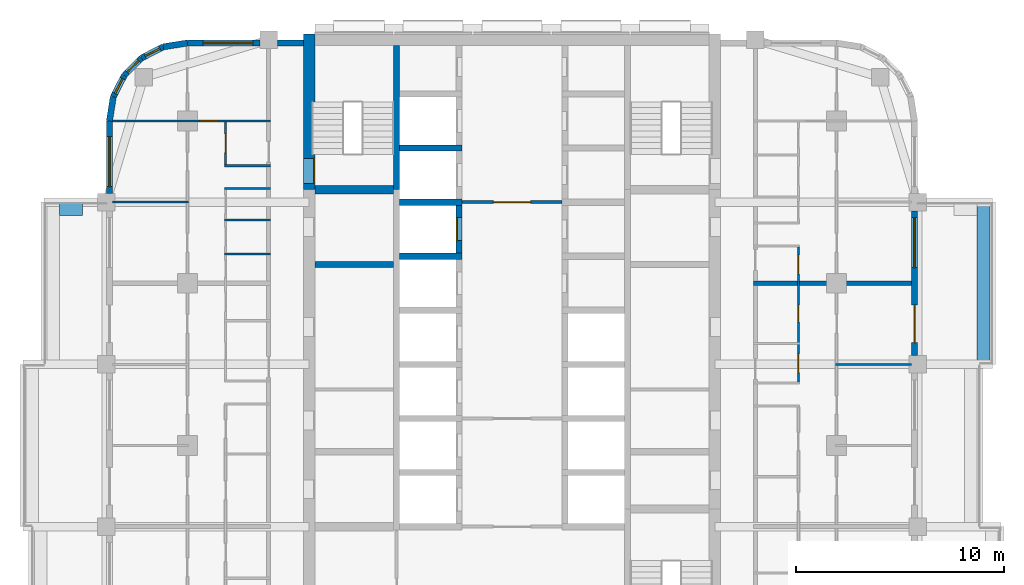
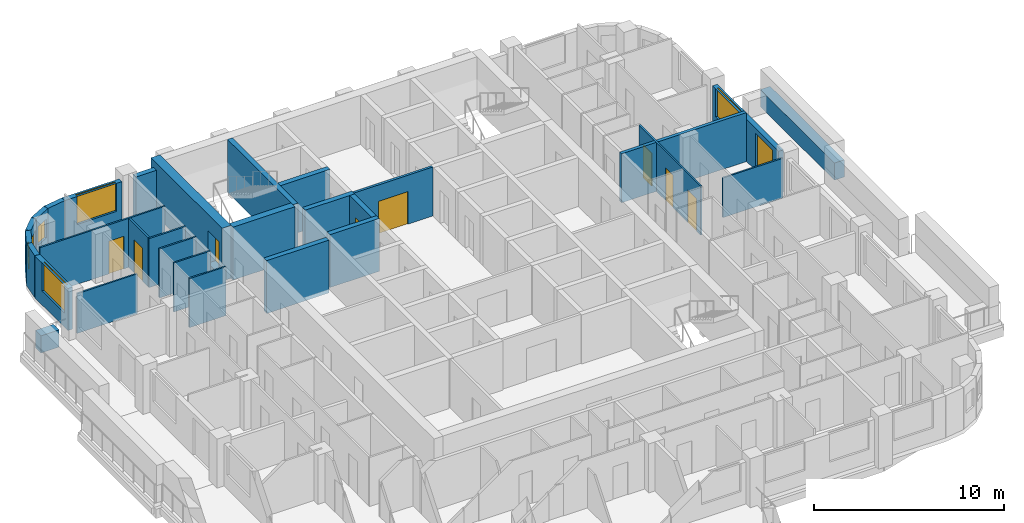
# One storey, part 8 of 14: 30 walls, 9 doors, 6 windows, 15 openings.
"""IFC4 building model written with IfcOpenShell, lengths in metres."""

from ifc_helpers import new_model, si_unit, direction, frame, frame_2d, origin, place, context, subcontext, project, spatial, rectangle, extrude, material, layer, layer_set, type_object, element, fill, save


model = new_model("IFC4")

# Units and contexts
model_context = context("Model", 3, precision=1e-05, world=origin(), true_north=direction((0.0, 1.0)))
body_context = subcontext(model_context, "Body", "Model", "MODEL_VIEW")
ifc_project = project(units=[si_unit("LENGTHUNIT", "METRE"), si_unit("AREAUNIT", "SQUARE_METRE"), si_unit("VOLUMEUNIT", "CUBIC_METRE"), si_unit("PLANEANGLEUNIT", "RADIAN"), si_unit("MASSUNIT", "GRAM", prefix="KILO")], contexts=[model_context])

# Site, building, storey
site_placement = place(None, origin())
site = spatial("IfcSite", under=ifc_project, at=site_placement, CompositionType="ELEMENT")
building_placement = place(site_placement, origin())
building = spatial("IfcBuilding", under=site, at=building_placement, Name="Ludao Terraces", CompositionType="ELEMENT")
storey_placement = place(building_placement, frame((0.0, 0.0, 110.10009765625)))
storey = spatial("IfcBuildingStorey", under=building, at=storey_placement, Name="L30", CompositionType="ELEMENT", Elevation=110.10009765625)

# Wall, opening, door
ifc_material_1 = material(Name="Concrete C60", Category="concrete")
ifc_layer_1 = layer(ifc_material_1, 0.550048828125)
ifc_layer_set_1 = layer_set([ifc_layer_1], Name="Core wall 550 C60")
wall_type_1 = type_object("IfcWallType", Name="Core wall 550 C60", PredefinedType="SOLIDWALL", material=ifc_layer_set_1)
wall_1_placement = place(storey_placement, frame((75.25, 77.300048828125, -0.25), z_axis=(0.0, 0.0, 1.0), x_axis=(0.0, 1.0, 0.0)))
wall_1 = element("IfcWall", 1, at=wall_1_placement, inside=storey, type_object=wall_type_1, Name="Core wall L30 outer-W-S1", PredefinedType="SOLIDWALL", context=body_context, shape_type="SweptSolid", body=[
    extrude(rectangle(XDim=7.474853515625, YDim=0.550048828125, at=frame_2d((3.7373046875, 0.0))), origin(), (0.0, 0.0, 1.0), 3.39990234375),
])
opening_1_placement = place(wall_1_placement, frame((0.300048828125, 0.0, 0.25)))
opening_1 = element("IfcOpeningElement", 2, at=opening_1_placement, cuts=wall_1, Name="Opening R09-087", PredefinedType="OPENING", context=body_context, shape_type="SweptSolid", body=[
    extrude(rectangle(XDim=1.199951171875, YDim=2.10009765625, at=frame_2d((0.60009765625, 1.050048828125))), frame((0.0, 0.28515625, 0.0), z_axis=(0.0, -1.0, 0.0), x_axis=(1.0, 0.0, 0.0)), (0.0, 0.0, 1.0), 0.570068359375),
])
ifc_material_2 = material(Name="Steel Q235", Category="steel")
door_type_1 = type_object("IfcDoorType", Name="INT Stair door 1200", OperationType="DOUBLE_DOOR_SINGLE_SWING", PredefinedType="DOOR", material=ifc_material_2)
door_1_placement = place(opening_1_placement, origin())
door_1 = element("IfcDoor", 3, at=door_1_placement, inside=storey, type_object=door_type_1, Name="DOOR 087", OperationType="DOUBLE_DOOR_SINGLE_SWING", OverallHeight=2.10009765625, OverallWidth=1.199951171875, PredefinedType="DOOR", context=body_context, shape_type="SweptSolid", body=[
    extrude(rectangle(XDim=1.199951171875, YDim=2.10009765625, at=frame_2d((0.60009765625, 1.050048828125))), frame((0.0, -0.2099609375, 0.0), z_axis=(0.0, -1.0, 0.0), x_axis=(1.0, 0.0, 0.0)), (0.0, 0.0, 1.0), 0.050048828125),
])
fill(opening_1, door_1)

# Walls
ifc_material_3 = material(Name="Concrete C40", Category="concrete")
ifc_layer_2 = layer(ifc_material_3, 0.60009765625)
ifc_layer_set_2 = layer_set([ifc_layer_2], Name="ENV Planter trough 600")
wall_type_2 = type_object("IfcWallType", Name="ENV Planter trough 600", PredefinedType="USERDEFINED", material=ifc_layer_set_2)
wall_2_placement = place(storey_placement, frame((107.64990234375, 68.89990234375, 0.0), z_axis=(0.0, 0.0, 1.0), x_axis=(0.0, 1.0, 0.0)))
element("IfcWall", 4, at=wall_2_placement, inside=storey, type_object=wall_type_2, Name="PL-L30-E3", ObjectType="PLANTER", PredefinedType="USERDEFINED", context=body_context, shape_type="SweptSolid", body=[
    extrude(rectangle(XDim=7.800048828125, YDim=0.60009765625, at=frame_2d((3.89990234375, 0.0))), origin(), (0.0, 0.0, 1.0), 1.099853515625),
])
wall_3_placement = place(storey_placement, frame((63.25, 76.35009765625, 0.0), z_axis=(0.0, 0.0, 1.0), x_axis=(1.0, 0.0, 0.0)))
element("IfcWall", 5, at=wall_3_placement, inside=storey, type_object=wall_type_2, Name="PL-L30-W3-SB", ObjectType="PLANTER", PredefinedType="USERDEFINED", context=body_context, shape_type="SweptSolid", body=[
    extrude(rectangle(XDim=1.10009765625, YDim=0.60009765625, at=frame_2d((0.550048828125, 0.0))), origin(), (0.0, 0.0, 1.0), 1.099853515625),
])

# Wall, openings, door, window
ifc_material_4 = material(Name="Granite cladding", Category="masonry")
ifc_layer_3 = layer(ifc_material_4, 0.0400390625, Category="stone")
ifc_material_5 = material(Name="Mineral wool")
ifc_layer_4 = layer(ifc_material_5, 0.06005859375)
ifc_layer_5 = layer(ifc_material_3, 0.199951171875, Category="concrete")
ifc_layer_set_3 = layer_set([ifc_layer_3, ifc_layer_4, ifc_layer_5], Name="ENV Stone-clad wall 300")
wall_type_3 = type_object("IfcWallType", Name="ENV Stone-clad wall 300", PredefinedType="SOLIDWALL", material=ifc_layer_set_3)
wall_4_placement = place(storey_placement, frame((104.35009765625, 69.324951171875, 0.0), z_axis=(0.0, 0.0, 1.0), x_axis=(0.0, 1.0, 0.0)))
wall_4 = element("IfcWall", 6, at=wall_4_placement, inside=storey, type_object=wall_type_3, Name="EW-L30-E4", PredefinedType="SOLIDWALL", context=body_context, shape_type="SweptSolid", body=[
    extrude(rectangle(XDim=6.949951171875, YDim=0.300048828125, at=frame_2d((3.47509765625, 0.0))), origin(), (0.0, 0.0, 1.0), 2.699951171875),
])
opening_2_placement = place(wall_4_placement, frame((0.625, 0.0, 0.0)))
opening_2 = element("IfcOpeningElement", 7, at=opening_2_placement, cuts=wall_4, Name="Opening BD", PredefinedType="OPENING", context=body_context, shape_type="SweptSolid", body=[
    extrude(rectangle(XDim=1.800048828125, YDim=2.39990234375, at=frame_2d((0.89990234375, 1.199951171875))), frame((0.0, 0.16015625, 0.0), z_axis=(0.0, -1.0, 0.0), x_axis=(1.0, 0.0, 0.0)), (0.0, 0.0, 1.0), 0.320068359375),
])
opening_3_placement = place(wall_4_placement, frame((4.22509765625, 0.0, 0.89990234375)))
opening_3 = element("IfcOpeningElement", 8, at=opening_3_placement, cuts=wall_4, Name="Opening W1", PredefinedType="OPENING", context=body_context, shape_type="SweptSolid", body=[
    extrude(rectangle(XDim=2.39990234375, YDim=1.800048828125, at=frame_2d((1.199951171875, 0.89990234375))), frame((0.0, 0.16015625, 0.0), z_axis=(0.0, -1.0, 0.0), x_axis=(1.0, 0.0, 0.0)), (0.0, 0.0, 1.0), 0.320068359375),
])
ifc_material_6 = material(Name="Aluminium glazed door", Category="aluminium")
ifc_layer_6 = layer(ifc_material_6, 0.06005859375)
ifc_layer_set_4 = layer_set([ifc_layer_6], Name="ENV Balcony door BD 1800x2400")
door_type_2 = type_object("IfcDoorType", Name="ENV Balcony door BD 1800x2400", OperationType="DOUBLE_DOOR_SINGLE_SWING", PredefinedType="DOOR", material=ifc_layer_set_4)
door_2_placement = place(opening_2_placement, origin())
door_2 = element("IfcDoor", 9, at=door_2_placement, inside=storey, type_object=door_type_2, Name="BD-L30-E4-1", OperationType="DOUBLE_DOOR_SINGLE_SWING", OverallHeight=2.39990234375, OverallWidth=1.800048828125, PredefinedType="DOOR", context=body_context, shape_type="SweptSolid", body=[
    extrude(rectangle(XDim=1.800048828125, YDim=2.39990234375, at=frame_2d((0.89990234375, 1.199951171875))), frame((0.0, 0.02490234375, 0.0), z_axis=(0.0, -1.0, 0.0), x_axis=(1.0, 0.0, 0.0)), (0.0, 0.0, 1.0), 0.050048828125),
])
fill(opening_2, door_2)
ifc_material_7 = material(Name="Clear glass in aluminium frame", Category="aluminium")
ifc_layer_7 = layer(ifc_material_7, 0.06005859375)
ifc_layer_set_5 = layer_set([ifc_layer_7], Name="ENV Window W1 2400x1800")
window_type_1 = type_object("IfcWindowType", Name="ENV Window W1 2400x1800", PartitioningType="DOUBLE_PANEL_VERTICAL", PredefinedType="WINDOW", material=ifc_layer_set_5)
window_1_placement = place(opening_3_placement, origin())
window_1 = element("IfcWindow", 10, at=window_1_placement, inside=storey, type_object=window_type_1, Name="W-L30-E4-2", OverallHeight=1.800048828125, OverallWidth=2.39990234375, PartitioningType="DOUBLE_PANEL_VERTICAL", PredefinedType="WINDOW", context=body_context, shape_type="SweptSolid", body=[
    extrude(rectangle(XDim=2.39990234375, YDim=1.800048828125, at=frame_2d((1.199951171875, 0.89990234375))), frame((0.0, 0.030029296875, 0.0), z_axis=(0.0, -1.0, 0.0), x_axis=(1.0, 0.0, 0.0)), (0.0, 0.0, 1.0), 0.06005859375),
])
fill(opening_3, window_1)

# Wall, opening, window
wall_5_placement = place(storey_placement, frame((69.39990234375, 84.35009765625, 0.0), z_axis=(0.0, 0.0, 1.0), x_axis=(1.0, 0.0, 0.0)))
wall_5 = element("IfcWall", 11, at=wall_5_placement, inside=storey, type_object=wall_type_3, Name="EW-L30-N1", PredefinedType="SOLIDWALL", context=body_context, shape_type="SweptSolid", body=[
    extrude(rectangle(XDim=3.47509765625, YDim=0.300048828125, at=frame_2d((1.737548828125, 0.0))), origin(), (0.0, 0.0, 1.0), 2.699951171875),
])
opening_4_placement = place(wall_5_placement, frame((0.75, 0.0, 0.89990234375)))
opening_4 = element("IfcOpeningElement", 12, at=opening_4_placement, cuts=wall_5, Name="Opening W1", PredefinedType="OPENING", context=body_context, shape_type="SweptSolid", body=[
    extrude(rectangle(XDim=2.39990234375, YDim=1.800048828125, at=frame_2d((1.199951171875, 0.89990234375))), frame((0.0, 0.16015625, 0.0), z_axis=(0.0, -1.0, 0.0), x_axis=(1.0, 0.0, 0.0)), (0.0, 0.0, 1.0), 0.320068359375),
])
window_2_placement = place(opening_4_placement, origin())
window_2 = element("IfcWindow", 13, at=window_2_placement, inside=storey, type_object=window_type_1, Name="W-L30-N1-1", OverallHeight=1.800048828125, OverallWidth=2.39990234375, PartitioningType="DOUBLE_PANEL_VERTICAL", PredefinedType="WINDOW", context=body_context, shape_type="SweptSolid", body=[
    extrude(rectangle(XDim=2.39990234375, YDim=1.800048828125, at=frame_2d((1.199951171875, 0.89990234375))), frame((0.0, 0.030029296875, 0.0), z_axis=(0.0, -1.0, 0.0), x_axis=(1.0, 0.0, 0.0)), (0.0, 0.0, 1.0), 0.06005859375),
])
fill(opening_4, window_2)

# Wall
wall_6_placement = place(storey_placement, frame((73.72509765625, 84.35009765625, 0.0), z_axis=(0.0, 0.0, 1.0), x_axis=(1.0, 0.0, 0.0)))
element("IfcWall", 14, at=wall_6_placement, inside=storey, type_object=wall_type_3, Name="EW-L30-N2", PredefinedType="SOLIDWALL", context=body_context, shape_type="SweptSolid", body=[
    extrude(rectangle(XDim=1.25, YDim=0.300048828125, at=frame_2d((0.625, 0.0))), origin(), (0.0, 0.0, 1.0), 2.699951171875),
])

# Wall, opening, window
wall_7_placement = place(storey_placement, frame((65.64990234375, 77.125, 0.0), z_axis=(0.0, 0.0, 1.0), x_axis=(0.0, 1.0, 0.0)))
wall_7 = element("IfcWall", 15, at=wall_7_placement, inside=storey, type_object=wall_type_3, Name="EW-L30-W5", PredefinedType="SOLIDWALL", context=body_context, shape_type="SweptSolid", body=[
    extrude(rectangle(XDim=3.47509765625, YDim=0.300048828125, at=frame_2d((1.737548828125, 0.0))), origin(), (0.0, 0.0, 1.0), 2.699951171875),
])
opening_5_placement = place(wall_7_placement, frame((0.324951171875, 0.0, 0.89990234375)))
opening_5 = element("IfcOpeningElement", 16, at=opening_5_placement, cuts=wall_7, Name="Opening W1", PredefinedType="OPENING", context=body_context, shape_type="SweptSolid", body=[
    extrude(rectangle(XDim=2.39990234375, YDim=1.800048828125, at=frame_2d((1.199951171875, 0.89990234375))), frame((0.0, 0.16015625, 0.0), z_axis=(0.0, -1.0, 0.0), x_axis=(1.0, 0.0, 0.0)), (0.0, 0.0, 1.0), 0.320068359375),
])
window_3_placement = place(opening_5_placement, origin())
window_3 = element("IfcWindow", 17, at=window_3_placement, inside=storey, type_object=window_type_1, Name="W-L30-W5-1", OverallHeight=1.800048828125, OverallWidth=2.39990234375, PartitioningType="DOUBLE_PANEL_VERTICAL", PredefinedType="WINDOW", context=body_context, shape_type="SweptSolid", body=[
    extrude(rectangle(XDim=2.39990234375, YDim=1.800048828125, at=frame_2d((1.199951171875, 0.89990234375))), frame((0.0, 0.030029296875, 0.0), z_axis=(0.0, -1.0, 0.0), x_axis=(1.0, 0.0, 0.0)), (0.0, 0.0, 1.0), 0.06005859375),
])
fill(opening_5, window_3)

# Wall
wall_8_placement = place(storey_placement, frame((69.39990234375, 84.35009765625, 0.0), z_axis=(0.0, 0.0, 1.0), x_axis=(-0.987678452879, -0.156496880861, 0.0)))
element("IfcWall", 18, at=wall_8_placement, inside=storey, type_object=wall_type_3, Name="EW-L30-NW1", PredefinedType="SOLIDWALL", context=body_context, shape_type="SweptSolid", body=[
    extrude(rectangle(XDim=1.173095703125, YDim=0.300048828125, at=frame_2d((0.58642578125, 0.0))), origin(), (0.0, 0.0, 1.0), 2.699951171875),
])

# Wall, opening, window
wall_9_placement = place(storey_placement, frame((68.2412109375, 84.16650390625, 0.0), z_axis=(0.0, 0.0, 1.0), x_axis=(-0.890988677504, -0.454025524128, 0.0)))
wall_9 = element("IfcWall", 19, at=wall_9_placement, inside=storey, type_object=wall_type_3, Name="EW-L30-NW2", PredefinedType="SOLIDWALL", context=body_context, shape_type="SweptSolid", body=[
    extrude(rectangle(XDim=1.17333984375, YDim=0.300048828125, at=frame_2d((0.586669921875, 0.0))), origin(), (0.0, 0.0, 1.0), 2.699951171875),
])
opening_6_placement = place(wall_9_placement, frame((0.1865234375, 0.0, 0.89990234375)))
opening_6 = element("IfcOpeningElement", 20, at=opening_6_placement, cuts=wall_9, Name="Opening W3", PredefinedType="OPENING", context=body_context, shape_type="SweptSolid", body=[
    extrude(rectangle(XDim=0.800048828125, YDim=1.199951171875, at=frame_2d((0.39990234375, 0.60009765625))), frame((0.0, 0.16015625, 0.0), z_axis=(0.0, -1.0, 0.0), x_axis=(1.0, 0.0, 0.0)), (0.0, 0.0, 1.0), 0.320068359375),
])
ifc_layer_8 = layer(ifc_material_7, 0.06005859375)
ifc_layer_set_6 = layer_set([ifc_layer_8], Name="ENV Window W3 800x1200")
window_type_2 = type_object("IfcWindowType", Name="ENV Window W3 800x1200", PartitioningType="SINGLE_PANEL", PredefinedType="WINDOW", material=ifc_layer_set_6)
window_4_placement = place(opening_6_placement, origin())
window_4 = element("IfcWindow", 21, at=window_4_placement, inside=storey, type_object=window_type_2, Name="W-L30-NW2", OverallHeight=1.199951171875, OverallWidth=0.800048828125, PartitioningType="SINGLE_PANEL", PredefinedType="WINDOW", context=body_context, shape_type="SweptSolid", body=[
    extrude(rectangle(XDim=0.800048828125, YDim=1.199951171875, at=frame_2d((0.39990234375, 0.60009765625))), frame((0.0, 0.030029296875, 0.0), z_axis=(0.0, -1.0, 0.0), x_axis=(1.0, 0.0, 0.0)), (0.0, 0.0, 1.0), 0.06005859375),
])
fill(opening_6, window_4)

wall_10_placement = place(storey_placement, frame((67.19580078125, 83.6337890625, 0.0), z_axis=(0.0, 0.0, 1.0), x_axis=(-0.707106781187, -0.707106781187, 0.0)))
wall_10 = element("IfcWall", 22, at=wall_10_placement, inside=storey, type_object=wall_type_3, Name="EW-L30-NW3", PredefinedType="SOLIDWALL", context=body_context, shape_type="SweptSolid", body=[
    extrude(rectangle(XDim=1.173095703125, YDim=0.300048828125, at=frame_2d((0.58642578125, 0.0))), origin(), (0.0, 0.0, 1.0), 2.699951171875),
])
opening_7_placement = place(wall_10_placement, frame((0.1865234375, 0.0, 0.89990234375)))
opening_7 = element("IfcOpeningElement", 23, at=opening_7_placement, cuts=wall_10, Name="Opening W3", PredefinedType="OPENING", context=body_context, shape_type="SweptSolid", body=[
    extrude(rectangle(XDim=0.800048828125, YDim=1.199951171875, at=frame_2d((0.39990234375, 0.60009765625))), frame((0.0, 0.16015625, 0.0), z_axis=(0.0, -1.0, 0.0), x_axis=(1.0, 0.0, 0.0)), (0.0, 0.0, 1.0), 0.320068359375),
])
window_5_placement = place(opening_7_placement, origin())
window_5 = element("IfcWindow", 24, at=window_5_placement, inside=storey, type_object=window_type_2, Name="W-L30-NW3", OverallHeight=1.199951171875, OverallWidth=0.800048828125, PartitioningType="SINGLE_PANEL", PredefinedType="WINDOW", context=body_context, shape_type="SweptSolid", body=[
    extrude(rectangle(XDim=0.800048828125, YDim=1.199951171875, at=frame_2d((0.39990234375, 0.60009765625))), frame((0.0, 0.030029296875, 0.0), z_axis=(0.0, -1.0, 0.0), x_axis=(1.0, 0.0, 0.0)), (0.0, 0.0, 1.0), 0.06005859375),
])
fill(opening_7, window_5)

wall_11_placement = place(storey_placement, frame((66.3662109375, 82.80419921875, 0.0), z_axis=(0.0, 0.0, 1.0), x_axis=(-0.454025524128, -0.890988677504, 0.0)))
wall_11 = element("IfcWall", 25, at=wall_11_placement, inside=storey, type_object=wall_type_3, Name="EW-L30-NW4", PredefinedType="SOLIDWALL", context=body_context, shape_type="SweptSolid", body=[
    extrude(rectangle(XDim=1.17333984375, YDim=0.300048828125, at=frame_2d((0.586669921875, 0.0))), origin(), (0.0, 0.0, 1.0), 2.699951171875),
])
opening_8_placement = place(wall_11_placement, frame((0.1865234375, 0.0, 0.89990234375)))
opening_8 = element("IfcOpeningElement", 26, at=opening_8_placement, cuts=wall_11, Name="Opening W3", PredefinedType="OPENING", context=body_context, shape_type="SweptSolid", body=[
    extrude(rectangle(XDim=0.800048828125, YDim=1.199951171875, at=frame_2d((0.39990234375, 0.60009765625))), frame((0.0, 0.16015625, 0.0), z_axis=(0.0, -1.0, 0.0), x_axis=(1.0, 0.0, 0.0)), (0.0, 0.0, 1.0), 0.320068359375),
])
window_6_placement = place(opening_8_placement, origin())
window_6 = element("IfcWindow", 27, at=window_6_placement, inside=storey, type_object=window_type_2, Name="W-L30-NW4", OverallHeight=1.199951171875, OverallWidth=0.800048828125, PartitioningType="SINGLE_PANEL", PredefinedType="WINDOW", context=body_context, shape_type="SweptSolid", body=[
    extrude(rectangle(XDim=0.800048828125, YDim=1.199951171875, at=frame_2d((0.39990234375, 0.60009765625))), frame((0.0, 0.030029296875, 0.0), z_axis=(0.0, -1.0, 0.0), x_axis=(1.0, 0.0, 0.0)), (0.0, 0.0, 1.0), 0.06005859375),
])
fill(opening_8, window_6)

# Wall
wall_12_placement = place(storey_placement, frame((65.83349609375, 81.7587890625, 0.0), z_axis=(0.0, 0.0, 1.0), x_axis=(-0.156496880861, -0.987678452879, 0.0)))
element("IfcWall", 28, at=wall_12_placement, inside=storey, type_object=wall_type_3, Name="EW-L30-NW5", PredefinedType="SOLIDWALL", context=body_context, shape_type="SweptSolid", body=[
    extrude(rectangle(XDim=1.173095703125, YDim=0.300048828125, at=frame_2d((0.58642578125, 0.0))), origin(), (0.0, 0.0, 1.0), 2.699951171875),
])

# Wall, opening, door
ifc_material_8 = material(Name="Fire-rated gypsum plasterboard", Category="gypsum")
ifc_layer_9 = layer(ifc_material_8, 0.012451171875, Category="gypsum")
ifc_layer_10 = layer(ifc_material_5, 0.10009765625, Name="insulation")
ifc_layer_11 = layer(ifc_material_2, 0.02490234375, Name="stud")
ifc_layer_12 = layer(ifc_material_8, 0.012451171875, Category="gypsum")
ifc_layer_set_7 = layer_set([ifc_layer_9, ifc_layer_10, ifc_layer_11, ifc_layer_12], Name="INT Core partition 150")
wall_type_4 = type_object("IfcWallType", Name="INT Core partition 150", PredefinedType="PARTITIONING", material=ifc_layer_set_7)
wall_13_placement = place(storey_placement, frame((82.60009765625, 76.699951171875, 0.0), z_axis=(0.0, 0.0, 1.0), x_axis=(1.0, 0.0, 0.0)))
wall_13 = element("IfcWall", 29, at=wall_13_placement, inside=storey, type_object=wall_type_4, Name="PW-L30-PW042", PredefinedType="PARTITIONING", context=body_context, shape_type="SweptSolid", body=[
    extrude(rectangle(XDim=4.800048828125, YDim=0.14990234375, at=frame_2d((2.39990234375, 0.0))), origin(), (0.0, 0.0, 1.0), 3.14990234375),
])
opening_9_placement = place(wall_13_placement, frame((1.5, 0.0, 0.0)))
opening_9 = element("IfcOpeningElement", 30, at=opening_9_placement, cuts=wall_13, Name="Opening R09-083", PredefinedType="OPENING", context=body_context, shape_type="SweptSolid", body=[
    extrude(rectangle(XDim=1.800048828125, YDim=2.10009765625, at=frame_2d((0.89990234375, 1.050048828125))), frame((0.0, 0.0849609375, 0.0), z_axis=(0.0, -1.0, 0.0), x_axis=(1.0, 0.0, 0.0)), (0.0, 0.0, 1.0), 0.169921875),
])
door_type_3 = type_object("IfcDoorType", Name="INT Fire lobby door 1800", OperationType="DOUBLE_DOOR_SINGLE_SWING", PredefinedType="DOOR", material=ifc_material_2)
door_3_placement = place(opening_9_placement, origin())
door_3 = element("IfcDoor", 31, at=door_3_placement, inside=storey, type_object=door_type_3, Name="DOOR 083", OperationType="DOUBLE_DOOR_SINGLE_SWING", OverallHeight=2.10009765625, OverallWidth=1.800048828125, PredefinedType="DOOR", context=body_context, shape_type="SweptSolid", body=[
    extrude(rectangle(XDim=1.800048828125, YDim=2.10009765625, at=frame_2d((0.89990234375, 1.050048828125))), frame((0.0, 0.02490234375, 0.0), z_axis=(0.0, -1.0, 0.0), x_axis=(1.0, 0.0, 0.0)), (0.0, 0.0, 1.0), 0.050048828125),
])
fill(opening_9, door_3)

# Walls
ifc_material_9 = material(Name="Gypsum plasterboard", Category="gypsum")
ifc_layer_13 = layer(ifc_material_9, 0.012451171875, Category="gypsum")
ifc_layer_14 = layer(ifc_material_5, 0.06005859375, Name="insulation")
ifc_layer_15 = layer(ifc_material_2, 0.014892578125, Name="stud")
ifc_layer_16 = layer(ifc_material_9, 0.012451171875, Category="gypsum")
ifc_layer_set_8 = layer_set([ifc_layer_13, ifc_layer_14, ifc_layer_15, ifc_layer_16], Name="INT Partition 100")
wall_type_5 = type_object("IfcWallType", Name="INT Partition 100", PredefinedType="PARTITIONING", material=ifc_layer_set_8)
wall_14_placement = place(storey_placement, frame((100.550048828125, 68.89990234375, 0.0), z_axis=(0.0, 0.0, 1.0), x_axis=(1.0, 0.0, 0.0)))
element("IfcWall", 32, at=wall_14_placement, inside=storey, type_object=wall_type_5, Name="PW-L30-PW032", PredefinedType="PARTITIONING", context=body_context, shape_type="SweptSolid", body=[
    extrude(rectangle(XDim=3.650146484375, YDim=0.10009765625, at=frame_2d((1.8251953125, 0.0))), origin(), (0.0, 0.0, 1.0), 2.5498046875),
])
for number, where, z_axis, x_axis, name in (
    (33, (71.18017578125, 74.199951171875, 0.0), (0.0, 0.0, 1.0), (1.0, 0.0, 0.0), "PW-L30-PW037"),
    (34, (71.18017578125, 75.85009765625, 0.0), (0.0, 0.0, 1.0), (1.0, 0.0, 0.0), "PW-L30-PW040"),
):
    element("IfcWall", number, at=place(storey_placement, frame(where, z_axis=z_axis, x_axis=x_axis)), inside=storey, type_object=wall_type_5, Name=name, PredefinedType="PARTITIONING", context=body_context, shape_type="SweptSolid", body=[
        extrude(rectangle(XDim=2.219970703125, YDim=0.10009765625, at=frame_2d((1.10986328125, 0.0))), origin(), (0.0, 0.0, 1.0), 3.14990234375),
    ])
wall_15_placement = place(storey_placement, frame((65.800048828125, 76.699951171875, 0.0), z_axis=(0.0, 0.0, 1.0), x_axis=(1.0, 0.0, 0.0)))
element("IfcWall", 35, at=wall_15_placement, inside=storey, type_object=wall_type_5, Name="PW-L30-PW041", PredefinedType="PARTITIONING", context=body_context, shape_type="SweptSolid", body=[
    extrude(rectangle(XDim=3.650146484375, YDim=0.10009765625, at=frame_2d((1.8251953125, 0.0))), origin(), (0.0, 0.0, 1.0), 2.5498046875),
])
for number, where, z_axis, x_axis, name in (
    (36, (71.18017578125, 77.35009765625, 0.0), (0.0, 0.0, 1.0), (1.0, 0.0, 0.0), "PW-L30-PW045"),
    (37, (71.18017578125, 78.449951171875, 0.0), (0.0, 0.0, 1.0), (1.0, 0.0, 0.0), "PW-L30-PW046"),
):
    element("IfcWall", number, at=place(storey_placement, frame(where, z_axis=z_axis, x_axis=x_axis)), inside=storey, type_object=wall_type_5, Name=name, PredefinedType="PARTITIONING", context=body_context, shape_type="SweptSolid", body=[
        extrude(rectangle(XDim=2.219970703125, YDim=0.10009765625, at=frame_2d((1.10986328125, 0.0))), origin(), (0.0, 0.0, 1.0), 3.14990234375),
    ])

# Wall, opening, door
wall_16_placement = place(storey_placement, frame((65.800048828125, 80.60009765625, 0.0), z_axis=(0.0, 0.0, 1.0), x_axis=(1.0, 0.0, 0.0)))
wall_16 = element("IfcWall", 38, at=wall_16_placement, inside=storey, type_object=wall_type_5, Name="PW-L30-PW048", PredefinedType="PARTITIONING", context=body_context, shape_type="SweptSolid", body=[
    extrude(rectangle(XDim=7.60009765625, YDim=0.10009765625, at=frame_2d((3.800048828125, 0.0))), origin(), (0.0, 0.0, 1.0), 3.14990234375),
])
opening_10_placement = place(wall_16_placement, frame((4.18994140625, 0.0, 0.0)))
opening_10 = element("IfcOpeningElement", 39, at=opening_10_placement, cuts=wall_16, Name="Opening R09-094", PredefinedType="OPENING", context=body_context, shape_type="SweptSolid", body=[
    extrude(rectangle(XDim=0.89990234375, YDim=2.10009765625, at=frame_2d((0.449951171875, 1.050048828125))), frame((0.0, 0.06005859375, 0.0), z_axis=(0.0, -1.0, 0.0), x_axis=(1.0, 0.0, 0.0)), (0.0, 0.0, 1.0), 0.1201171875),
])
ifc_material_10 = material(Name="Timber door leaf", Category="wood")
door_type_4 = type_object("IfcDoorType", Name="INT Room door 900", OperationType="SINGLE_SWING_LEFT", PredefinedType="DOOR", material=ifc_material_10)
door_4_placement = place(opening_10_placement, origin())
door_4 = element("IfcDoor", 40, at=door_4_placement, inside=storey, type_object=door_type_4, Name="DOOR 094", OperationType="SINGLE_SWING_LEFT", OverallHeight=2.10009765625, OverallWidth=0.89990234375, PredefinedType="DOOR", context=body_context, shape_type="SweptSolid", body=[
    extrude(rectangle(XDim=0.89990234375, YDim=2.10009765625, at=frame_2d((0.449951171875, 1.050048828125))), frame((0.0, 0.02490234375, 0.0), z_axis=(0.0, -1.0, 0.0), x_axis=(1.0, 0.0, 0.0)), (0.0, 0.0, 1.0), 0.050048828125),
])
fill(opening_10, door_4)

wall_17_placement = place(storey_placement, frame((71.22998046875, 78.5, 0.0), z_axis=(0.0, 0.0, 1.0), x_axis=(0.0, 1.0, 0.0)))
wall_17 = element("IfcWall", 41, at=wall_17_placement, inside=storey, type_object=wall_type_5, Name="PW-L30-PW054", PredefinedType="PARTITIONING", context=body_context, shape_type="SweptSolid", body=[
    extrude(rectangle(XDim=2.050048828125, YDim=0.10009765625, at=frame_2d((1.02490234375, 0.0))), origin(), (0.0, 0.0, 1.0), 3.14990234375),
])
opening_11_placement = place(wall_17_placement, frame((0.5751953125, 0.0, 0.0)))
opening_11 = element("IfcOpeningElement", 42, at=opening_11_placement, cuts=wall_17, Name="Opening R09-092", PredefinedType="OPENING", context=body_context, shape_type="SweptSolid", body=[
    extrude(rectangle(XDim=0.89990234375, YDim=2.10009765625, at=frame_2d((0.449951171875, 1.050048828125))), frame((0.0, 0.06005859375, 0.0), z_axis=(0.0, -1.0, 0.0), x_axis=(1.0, 0.0, 0.0)), (0.0, 0.0, 1.0), 0.1201171875),
])
door_5_placement = place(opening_11_placement, origin())
door_5 = element("IfcDoor", 43, at=door_5_placement, inside=storey, type_object=door_type_4, Name="DOOR 092", OperationType="SINGLE_SWING_RIGHT", OverallHeight=2.10009765625, OverallWidth=0.89990234375, PredefinedType="DOOR", context=body_context, shape_type="SweptSolid", body=[
    extrude(rectangle(XDim=0.89990234375, YDim=2.10009765625, at=frame_2d((0.449951171875, 1.050048828125))), frame((0.0, 0.02490234375, 0.0), z_axis=(0.0, -1.0, 0.0), x_axis=(1.0, 0.0, 0.0)), (0.0, 0.0, 1.0), 0.050048828125),
])
fill(opening_11, door_5)

# Wall, openings, doors
wall_18_placement = place(storey_placement, frame((98.77001953125, 68.050048828125, 0.0), z_axis=(0.0, 0.0, 1.0), x_axis=(0.0, 1.0, 0.0)))
wall_18 = element("IfcWall", 44, at=wall_18_placement, inside=storey, type_object=wall_type_5, Name="PW-L30-PW075", PredefinedType="PARTITIONING", context=body_context, shape_type="SweptSolid", body=[
    extrude(rectangle(XDim=6.5, YDim=0.10009765625, at=frame_2d((3.25, 0.0))), origin(), (0.0, 0.0, 1.0), 3.14990234375),
])
opening_12_placement = place(wall_18_placement, frame((0.449951171875, 0.0, 0.0)))
opening_12 = element("IfcOpeningElement", 45, at=opening_12_placement, cuts=wall_18, Name="Opening R09-060", PredefinedType="OPENING", context=body_context, shape_type="SweptSolid", body=[
    extrude(rectangle(XDim=0.89990234375, YDim=2.10009765625, at=frame_2d((0.449951171875, 1.050048828125))), frame((0.0, 0.06005859375, 0.0), z_axis=(0.0, -1.0, 0.0), x_axis=(1.0, 0.0, 0.0)), (0.0, 0.0, 1.0), 0.1201171875),
])
opening_13_placement = place(wall_18_placement, frame((2.89990234375, 0.0, 0.0)))
opening_13 = element("IfcOpeningElement", 46, at=opening_13_placement, cuts=wall_18, Name="Opening R09-067", PredefinedType="OPENING", context=body_context, shape_type="SweptSolid", body=[
    extrude(rectangle(XDim=0.800048828125, YDim=2.10009765625, at=frame_2d((0.39990234375, 1.050048828125))), frame((0.0, 0.06005859375, 0.0), z_axis=(0.0, -1.0, 0.0), x_axis=(1.0, 0.0, 0.0)), (0.0, 0.0, 1.0), 0.1201171875),
])
opening_14_placement = place(wall_18_placement, frame((5.199951171875, 0.0, 0.0)))
opening_14 = element("IfcOpeningElement", 47, at=opening_14_placement, cuts=wall_18, Name="Opening R09-072", PredefinedType="OPENING", context=body_context, shape_type="SweptSolid", body=[
    extrude(rectangle(XDim=0.89990234375, YDim=2.10009765625, at=frame_2d((0.449951171875, 1.050048828125))), frame((0.0, 0.06005859375, 0.0), z_axis=(0.0, -1.0, 0.0), x_axis=(1.0, 0.0, 0.0)), (0.0, 0.0, 1.0), 0.1201171875),
])
door_type_5 = type_object("IfcDoorType", Name="INT Bathroom door 900", OperationType="SINGLE_SWING_LEFT", PredefinedType="DOOR", material=ifc_material_10)
door_6_placement = place(opening_12_placement, origin())
door_6 = element("IfcDoor", 48, at=door_6_placement, inside=storey, type_object=door_type_5, Name="DOOR 060", OperationType="SINGLE_SWING_RIGHT", OverallHeight=2.10009765625, OverallWidth=0.89990234375, PredefinedType="DOOR", context=body_context, shape_type="SweptSolid", body=[
    extrude(rectangle(XDim=0.89990234375, YDim=2.10009765625, at=frame_2d((0.449951171875, 1.050048828125))), frame((0.0, 0.02490234375, 0.0), z_axis=(0.0, -1.0, 0.0), x_axis=(1.0, 0.0, 0.0)), (0.0, 0.0, 1.0), 0.050048828125),
])
fill(opening_12, door_6)
door_7_placement = place(opening_14_placement, origin())
door_7 = element("IfcDoor", 49, at=door_7_placement, inside=storey, type_object=door_type_5, Name="DOOR 072", OperationType="SINGLE_SWING_LEFT", OverallHeight=2.10009765625, OverallWidth=0.89990234375, PredefinedType="DOOR", context=body_context, shape_type="SweptSolid", body=[
    extrude(rectangle(XDim=0.89990234375, YDim=2.10009765625, at=frame_2d((0.449951171875, 1.050048828125))), frame((0.0, 0.02490234375, 0.0), z_axis=(0.0, -1.0, 0.0), x_axis=(1.0, 0.0, 0.0)), (0.0, 0.0, 1.0), 0.050048828125),
])
fill(opening_14, door_7)
door_type_6 = type_object("IfcDoorType", Name="INT Store door 800", OperationType="SINGLE_SWING_LEFT", PredefinedType="DOOR", material=ifc_material_10)
door_8_placement = place(opening_13_placement, origin())
door_8 = element("IfcDoor", 50, at=door_8_placement, inside=storey, type_object=door_type_6, Name="DOOR 067", OperationType="SINGLE_SWING_LEFT", OverallHeight=2.10009765625, OverallWidth=0.800048828125, PredefinedType="DOOR", context=body_context, shape_type="SweptSolid", body=[
    extrude(rectangle(XDim=0.800048828125, YDim=2.10009765625, at=frame_2d((0.39990234375, 1.050048828125))), frame((0.0, 0.02490234375, 0.0), z_axis=(0.0, -1.0, 0.0), x_axis=(1.0, 0.0, 0.0)), (0.0, 0.0, 1.0), 0.050048828125),
])
fill(opening_13, door_8)

# Walls
ifc_material_11 = material(Name="Autoclaved aerated concrete block B06 A3.5", Category="concrete")
ifc_layer_17 = layer(ifc_material_11, 0.199951171875)
ifc_layer_set_9 = layer_set([ifc_layer_17], Name="INT Party wall 200")
wall_type_6 = type_object("IfcWallType", Name="INT Party wall 200", PredefinedType="PARTITIONING", material=ifc_layer_set_9)
wall_19_placement = place(storey_placement, frame((96.60009765625, 72.800048828125, 0.0), z_axis=(0.0, 0.0, 1.0), x_axis=(1.0, 0.0, 0.0)))
element("IfcWall", 51, at=wall_19_placement, inside=storey, type_object=wall_type_6, Name="PW-L30-PW036", PredefinedType="PARTITIONING", context=body_context, shape_type="SweptSolid", body=[
    extrude(rectangle(XDim=7.60009765625, YDim=0.199951171875, at=frame_2d((3.800048828125, 0.0))), origin(), (0.0, 0.0, 1.0), 3.14990234375),
])
ifc_material_12 = material(Name="Concrete C55", Category="concrete")
ifc_layer_18 = layer(ifc_material_12, 0.300048828125)
ifc_layer_set_10 = layer_set([ifc_layer_18], Name="Shaft wall 300 C55")
wall_type_7 = type_object("IfcWallType", Name="Shaft wall 300 C55", PredefinedType="SOLIDWALL", material=ifc_layer_set_10)
wall_20_placement = place(storey_placement, frame((79.449951171875, 77.300048828125, -0.25), z_axis=(0.0, 0.0, 1.0), x_axis=(0.0, 1.0, 0.0)))
element("IfcWall", 52, at=wall_20_placement, inside=storey, type_object=wall_type_7, Name="Core wall L30 back-W-S1", PredefinedType="SOLIDWALL", context=body_context, shape_type="SweptSolid", body=[
    extrude(rectangle(XDim=6.925048828125, YDim=0.300048828125, at=frame_2d((3.46240234375, 0.0))), origin(), (0.0, 0.0, 1.0), 3.39990234375),
])
wall_21_placement = place(storey_placement, frame((79.60009765625, 74.10009765625, -0.25), z_axis=(0.0, 0.0, 1.0), x_axis=(1.0, 0.0, 0.0)))
element("IfcWall", 53, at=wall_21_placement, inside=storey, type_object=wall_type_7, Name="Core wall L30 div-W6", PredefinedType="SOLIDWALL", context=body_context, shape_type="SweptSolid", body=[
    extrude(rectangle(XDim=3.0, YDim=0.300048828125, at=frame_2d((1.5, 0.0))), origin(), (0.0, 0.0, 1.0), 3.39990234375),
])

# Wall, opening, door
wall_22_placement = place(storey_placement, frame((82.449951171875, 74.25, -0.25), z_axis=(0.0, 0.0, 1.0), x_axis=(0.0, 1.0, 0.0)))
wall_22 = element("IfcWall", 54, at=wall_22_placement, inside=storey, type_object=wall_type_7, Name="Core wall L30 front-W6", PredefinedType="SOLIDWALL", context=body_context, shape_type="SweptSolid", body=[
    extrude(rectangle(XDim=2.300048828125, YDim=0.300048828125, at=frame_2d((1.14990234375, 0.0))), origin(), (0.0, 0.0, 1.0), 3.39990234375),
])
opening_15_placement = place(wall_22_placement, frame((0.60009765625, 0.0, 0.25)))
opening_15 = element("IfcOpeningElement", 55, at=opening_15_placement, cuts=wall_22, Name="Opening LD-LA6", PredefinedType="OPENING", context=body_context, shape_type="SweptSolid", body=[
    extrude(rectangle(XDim=1.10009765625, YDim=2.10009765625, at=frame_2d((0.550048828125, 1.050048828125))), frame((0.0, 0.16015625, 0.0), z_axis=(0.0, -1.0, 0.0), x_axis=(1.0, 0.0, 0.0)), (0.0, 0.0, 1.0), 0.320068359375),
])
ifc_material_13 = material(Name="Stainless steel 304", Category="steel")
door_type_7 = type_object("IfcDoorType", Name="INT Lift landing door 1100", OperationType="SLIDING_TO_LEFT", PredefinedType="DOOR", material=ifc_material_13)
door_9_placement = place(opening_15_placement, origin())
door_9 = element("IfcDoor", 56, at=door_9_placement, inside=storey, type_object=door_type_7, Name="LANDING DOOR LA6 L30", OperationType="SLIDING_TO_LEFT", OverallHeight=2.10009765625, OverallWidth=1.10009765625, PredefinedType="DOOR", context=body_context, shape_type="SweptSolid", body=[
    extrude(rectangle(XDim=1.10009765625, YDim=2.10009765625, at=frame_2d((0.550048828125, 1.050048828125))), frame((0.0, 0.13525390625, 0.0), z_axis=(0.0, -1.0, 0.0), x_axis=(1.0, 0.0, 0.0)), (0.0, 0.0, 1.0), 0.050048828125),
])
fill(opening_15, door_9)

# Walls
for number, where, z_axis, x_axis, name in (
    (57, (79.60009765625, 76.699951171875, -0.25), (0.0, 0.0, 1.0), (1.0, 0.0, 0.0), "Core wall L30 div-W7"),
    (58, (79.60009765625, 79.300048828125, -0.25), (0.0, 0.0, 1.0), (1.0, 0.0, 0.0), "Core wall L30 div-W8"),
):
    element("IfcWall", number, at=place(storey_placement, frame(where, z_axis=z_axis, x_axis=x_axis)), inside=storey, type_object=wall_type_7, Name=name, PredefinedType="SOLIDWALL", context=body_context, shape_type="SweptSolid", body=[
        extrude(rectangle(XDim=3.0, YDim=0.300048828125, at=frame_2d((1.5, 0.0))), origin(), (0.0, 0.0, 1.0), 3.39990234375),
    ])
wall_23_placement = place(storey_placement, frame((75.52490234375, 73.699951171875, -0.25), z_axis=(0.0, 0.0, 1.0), x_axis=(1.0, 0.0, 0.0)))
element("IfcWall", 59, at=wall_23_placement, inside=storey, type_object=wall_type_7, Name="Core wall L30 riser-b-W", PredefinedType="SOLIDWALL", context=body_context, shape_type="SweptSolid", body=[
    extrude(rectangle(XDim=3.775146484375, YDim=0.300048828125, at=frame_2d((1.8876953125, 0.0))), origin(), (0.0, 0.0, 1.0), 3.39990234375),
])
ifc_layer_19 = layer(ifc_material_12, 0.39990234375)
ifc_layer_set_11 = layer_set([ifc_layer_19], Name="Shaft wall 400 C55")
wall_type_8 = type_object("IfcWallType", Name="Shaft wall 400 C55", PredefinedType="SOLIDWALL", material=ifc_layer_set_11)
wall_24_placement = place(storey_placement, frame((75.52490234375, 77.300048828125, -0.25), z_axis=(0.0, 0.0, 1.0), x_axis=(1.0, 0.0, 0.0)))
element("IfcWall", 60, at=wall_24_placement, inside=storey, type_object=wall_type_8, Name="Core wall L30 stair-W", PredefinedType="SOLIDWALL", context=body_context, shape_type="SweptSolid", body=[
    extrude(rectangle(XDim=3.775146484375, YDim=0.39990234375, at=frame_2d((1.8876953125, 0.0))), origin(), (0.0, 0.0, 1.0), 3.39990234375),
])

save(model, "model.ifc")
